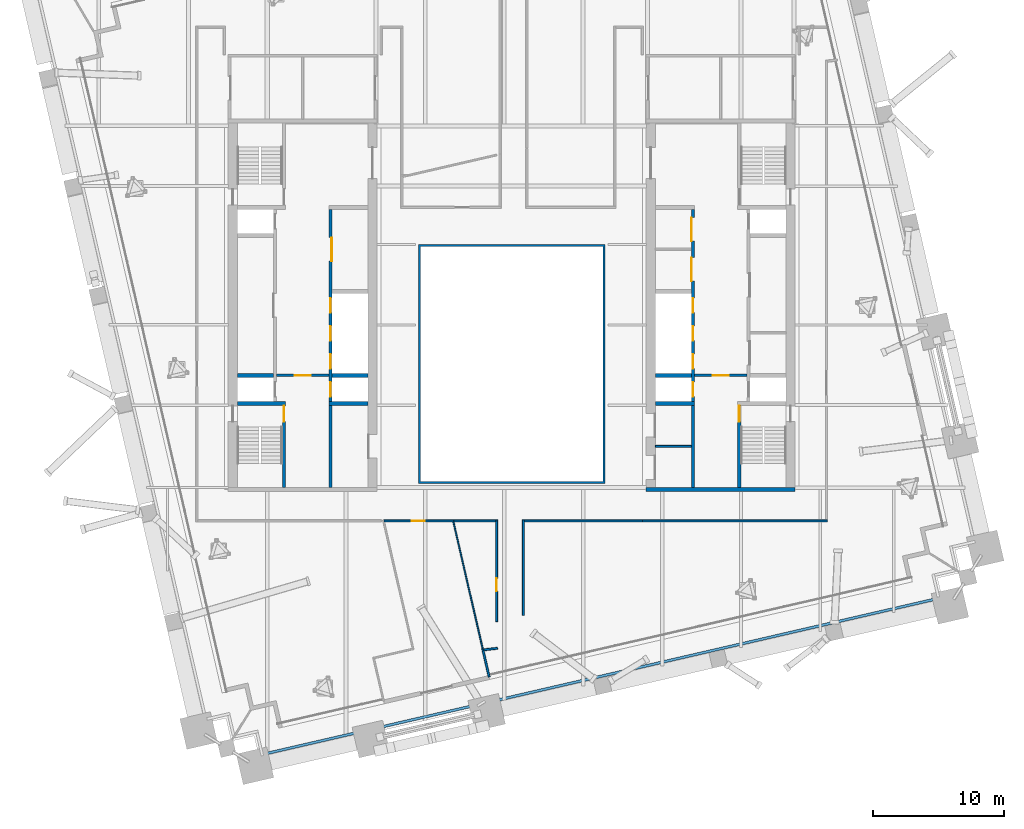
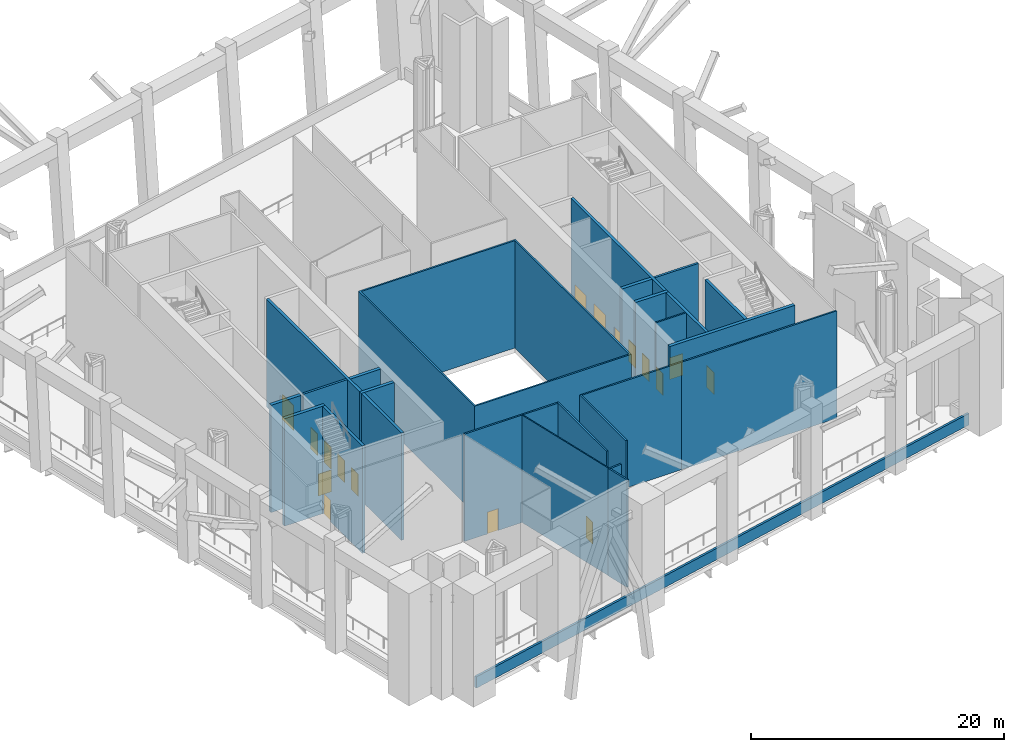
# One storey, part 16 of 25: 25 walls, 17 doors, 17 openings.
"""IFC4 building model written with IfcOpenShell, lengths in metres."""

from ifc_helpers import new_model, si_unit, direction, frame, frame_2d, origin, place, context, subcontext, project, spatial, polyline, rectangle, outline, extrude, material, layer, layer_set, type_object, element, fill, save


model = new_model("IFC4")

# Units and contexts
model_context = context("Model", 3, precision=1e-05, world=origin(), true_north=direction((0.0, 1.0)))
body_context = subcontext(model_context, "Body", "Model", "MODEL_VIEW")
ifc_project = project(units=[si_unit("LENGTHUNIT", "METRE"), si_unit("AREAUNIT", "SQUARE_METRE"), si_unit("VOLUMEUNIT", "CUBIC_METRE"), si_unit("PLANEANGLEUNIT", "RADIAN"), si_unit("MASSUNIT", "GRAM", prefix="KILO")], contexts=[model_context])

# Site, building, storey
site_placement = place(None, origin())
site = spatial("IfcSite", under=ifc_project, at=site_placement, CompositionType="ELEMENT")
building_placement = place(site_placement, origin())
building = spatial("IfcBuilding", under=site, at=building_placement, Name="Ogive Exchange Tower", CompositionType="ELEMENT")
storey_placement = place(building_placement, frame((0.0, 0.0, 226.199951171875)))
storey = spatial("IfcBuildingStorey", under=building, at=storey_placement, Name="L50", CompositionType="ELEMENT", Elevation=226.199951171875)

# Wall
ifc_material_1 = material(Name="Gypsum board partition")
ifc_layer_1 = layer(ifc_material_1, 0.14990234375)
ifc_layer_set_1 = layer_set([ifc_layer_1], Name="Core room partition 150 gypsum")
wall_type_1 = type_object("IfcWallType", Name="Core room partition 150 gypsum", PredefinedType="PARTITIONING", material=ifc_layer_set_1)
wall_1_placement = place(storey_placement, frame((11.0, 0.699951171875, 0.0), z_axis=(0.0, 0.0, 1.0), x_axis=(1.0, 0.0, 0.0)))
element("IfcWall", 1, at=wall_1_placement, inside=storey, type_object=wall_type_1, Name="E south room partition", PredefinedType="PARTITIONING", context=body_context, shape_type="SweptSolid", body=[
    extrude(rectangle(XDim=2.75, YDim=0.14990234375, at=frame_2d((1.375, 0.0))), origin(), (0.0, 0.0, 1.0), 10.35009765625),
])

# Wall, opening, door
ifc_material_2 = material(Name="Fire partition EI 60 150")
ifc_layer_2 = layer(ifc_material_2, 0.14990234375)
ifc_layer_set_2 = layer_set([ifc_layer_2], Name="Fire partition EI 60 150")
wall_type_2 = type_object("IfcWallType", Name="Fire partition EI 60 150", PredefinedType="PARTITIONING", material=ifc_layer_set_2)
wall_2_placement = place(storey_placement, frame((-4.429931640625, -5.0, 0.0), z_axis=(0.0, 0.0, 1.0), x_axis=(-1.0, 0.0, 0.0)))
wall_2 = element("IfcWall", 2, at=wall_2_placement, inside=storey, type_object=wall_type_2, Name="L50-PWL-015", PredefinedType="PARTITIONING", context=body_context, shape_type="SweptSolid", body=[
    extrude(rectangle(XDim=5.330078125, YDim=0.14990234375, at=frame_2d((2.6650390625, 0.0))), origin(), (0.0, 0.0, 1.0), 10.35009765625),
])
opening_1_placement = place(wall_2_placement, frame((2.235107421875, 0.0, 0.0)))
opening_1 = element("IfcOpeningElement", 3, at=opening_1_placement, cuts=wall_2, Name="Opening L50-I04", PredefinedType="OPENING", context=body_context, shape_type="SweptSolid", body=[
    extrude(rectangle(XDim=1.0, YDim=2.10009765625, at=frame_2d((0.5, 1.050048828125))), frame((0.0, 0.0849609375, 0.0), z_axis=(0.0, -1.0, 0.0), x_axis=(1.0, 0.0, 0.0)), (0.0, 0.0, 1.0), 0.169921875),
])
ifc_material_3 = material(Name="Fire door FD 30S 1000 x 2100")
door_type_1 = type_object("IfcDoorType", Name="Fire door FD 30S 1000 x 2100", OperationType="NOTDEFINED", PredefinedType="DOOR", material=ifc_material_3)
door_1_placement = place(opening_1_placement, origin())
door_1 = element("IfcDoor", 4, at=door_1_placement, inside=storey, type_object=door_type_1, Name="L50-IDR-004", ObjectType="DT3", OperationType="SINGLE_SWING_LEFT", OverallHeight=2.10009765625, OverallWidth=1.0, PredefinedType="DOOR", context=body_context, shape_type="SweptSolid", body=[
    extrude(rectangle(XDim=1.0, YDim=2.10009765625, at=frame_2d((0.5, 1.050048828125))), frame((0.0, 0.02490234375, 0.0), z_axis=(0.0, -1.0, 0.0), x_axis=(1.0, 0.0, 0.0)), (0.0, 0.0, 1.0), 0.050048828125),
])
fill(opening_1, door_1)

# Walls
wall_3_placement = place(storey_placement, frame((-2.217041015625, -14.806884765625, 0.0), z_axis=(0.0, 0.0, 1.0), x_axis=(0.224412122842, -0.974494329959, 0.0)))
element("IfcWall", 5, at=wall_3_placement, inside=storey, type_object=wall_type_2, Name="L50-PWL-017", PredefinedType="PARTITIONING", context=body_context, shape_type="SweptSolid", body=[
    extrude(rectangle(XDim=2.192138671875, YDim=0.14990234375, at=frame_2d((1.09619140625, 0.0))), origin(), (0.0, 0.0, 1.0), 10.35009765625),
])
wall_4_placement = place(storey_placement, frame((-2.14990234375, -14.8740234375, 0.0), z_axis=(0.0, 0.0, 1.0), x_axis=(0.993390970657, 0.114779699498, 0.0)))
element("IfcWall", 6, at=wall_4_placement, inside=storey, type_object=wall_type_2, Name="L50-PWL-018", PredefinedType="PARTITIONING", context=body_context, shape_type="SweptSolid", body=[
    extrude(rectangle(XDim=1.072021484375, YDim=0.14990234375, at=frame_2d((0.5361328125, 0.0))), origin(), (0.0, 0.0, 1.0), 10.35009765625),
])

# Wall, opening, door
wall_5_placement = place(storey_placement, frame((-1.159912109375, -12.71240234375, 0.0), z_axis=(0.0, 0.0, 1.0), x_axis=(0.0, 1.0, 0.0)))
wall_5 = element("IfcWall", 7, at=wall_5_placement, inside=storey, type_object=wall_type_2, Name="L50-PWL-019", PredefinedType="PARTITIONING", context=body_context, shape_type="SweptSolid", body=[
    extrude(rectangle(XDim=7.787353515625, YDim=0.14990234375, at=frame_2d((3.8935546875, 0.0))), origin(), (0.0, 0.0, 1.0), 10.35009765625),
])
opening_2_placement = place(wall_5_placement, frame((2.312255859375, 0.0, 0.0)))
opening_2 = element("IfcOpeningElement", 8, at=opening_2_placement, cuts=wall_5, Name="Opening L50-I03", PredefinedType="OPENING", context=body_context, shape_type="SweptSolid", body=[
    extrude(rectangle(XDim=1.0, YDim=2.10009765625, at=frame_2d((0.5, 1.050048828125))), frame((0.0, 0.0849609375, 0.0), z_axis=(0.0, -1.0, 0.0), x_axis=(1.0, 0.0, 0.0)), (0.0, 0.0, 1.0), 0.169921875),
])
door_2_placement = place(opening_2_placement, origin())
door_2 = element("IfcDoor", 9, at=door_2_placement, inside=storey, type_object=door_type_1, Name="L50-IDR-003", ObjectType="DT3", OperationType="SINGLE_SWING_RIGHT", OverallHeight=2.10009765625, OverallWidth=1.0, PredefinedType="DOOR", context=body_context, shape_type="SweptSolid", body=[
    extrude(rectangle(XDim=1.0, YDim=2.10009765625, at=frame_2d((0.5, 1.050048828125))), frame((0.0, 0.02490234375, 0.0), z_axis=(0.0, -1.0, 0.0), x_axis=(1.0, 0.0, 0.0)), (0.0, 0.0, 1.0), 0.050048828125),
])
fill(opening_2, door_2)

# Walls
wall_6_placement = place(storey_placement, frame((-1.235107421875, -5.0, 0.0), z_axis=(0.0, 0.0, 1.0), x_axis=(-1.0, 0.0, 0.0)))
element("IfcWall", 10, at=wall_6_placement, inside=storey, type_object=wall_type_2, Name="L50-PWL-020", PredefinedType="PARTITIONING", context=body_context, shape_type="SweptSolid", body=[
    extrude(rectangle(XDim=3.19482421875, YDim=0.14990234375, at=frame_2d((1.597412109375, 0.0))), origin(), (0.0, 0.0, 1.0), 10.35009765625),
])
wall_7_placement = place(storey_placement, frame((0.889892578125, -4.925048828125, 0.0), z_axis=(0.0, 0.0, 1.0), x_axis=(0.0, -1.0, 0.0)))
element("IfcWall", 11, at=wall_7_placement, inside=storey, type_object=wall_type_2, Name="L50-PWL-024", PredefinedType="PARTITIONING", context=body_context, shape_type="SweptSolid", body=[
    extrude(rectangle(XDim=7.31396484375, YDim=0.14990234375, at=frame_2d((3.656982421875, 0.0))), origin(), (0.0, 0.0, 1.0), 10.35009765625),
])
wall_8_placement = place(storey_placement, frame((10.0, -5.0, 0.0), z_axis=(0.0, 0.0, 1.0), x_axis=(-1.0, 0.0, 0.0)))
element("IfcWall", 12, at=wall_8_placement, inside=storey, type_object=wall_type_2, Name="L50-PWL-030", PredefinedType="PARTITIONING", context=body_context, shape_type="SweptSolid", body=[
    extrude(rectangle(XDim=9.034912109375, YDim=0.14990234375, at=frame_2d((4.517578125, 0.0))), origin(), (0.0, 0.0, 1.0), 10.35009765625),
])
wall_9_placement = place(storey_placement, frame((24.175048828125, -5.0, 0.0), z_axis=(0.0, 0.0, 1.0), x_axis=(-1.0, 0.0, 0.0)))
element("IfcWall", 13, at=wall_9_placement, inside=storey, type_object=wall_type_2, Name="L50-PWL-034", PredefinedType="PARTITIONING", context=body_context, shape_type="SweptSolid", body=[
    extrude(rectangle(XDim=14.175048828125, YDim=0.14990234375, at=frame_2d((7.08740234375, 0.0))), origin(), (0.0, 0.0, 1.0), 10.35009765625),
])
ifc_material_4 = material(Name="Fire-resisting glass in steel frame", Category="steel")
ifc_layer_3 = layer(ifc_material_4, 0.14990234375)
ifc_layer_set_3 = layer_set([ifc_layer_3], Name="Fire-rated glazed wall 150")
wall_type_3 = type_object("IfcWallType", Name="Fire-rated glazed wall 150", PredefinedType="STANDARD", material=ifc_layer_set_3)
wall_10_placement = place(storey_placement, origin())
element("IfcWall", 14, at=wall_10_placement, inside=storey, type_object=wall_type_3, Name="Nave enclosure wall", PredefinedType="STANDARD", context=body_context, shape_type="SweptSolid", body=[
    extrude(outline(polyline([(-7.14990234375, -2.14990234375), (7.14990234375, -2.14990234375), (7.14990234375, 16.14990234375), (-7.14990234375, 16.14990234375), (-7.14990234375, -2.14990234375)]), holes=[polyline([(-7.0, -2.0), (-7.0, 16.0), (7.0, 16.0), (7.0, -2.0), (-7.0, -2.0)])]), origin(), (0.0, 0.0, 1.0), 10.35009765625),
])
ifc_material_5 = material(Name="Partition 100 gypsum")
ifc_layer_4 = layer(ifc_material_5, 0.10009765625)
ifc_layer_set_4 = layer_set([ifc_layer_4], Name="Partition 100 gypsum")
wall_type_4 = type_object("IfcWallType", Name="Partition 100 gypsum", PredefinedType="PARTITIONING", material=ifc_layer_set_4)
wall_11_placement = place(storey_placement, frame((-4.462890625, -5.072998046875, 0.0), z_axis=(0.0, 0.0, 1.0), x_axis=(0.224841657726, -0.974395314516, 0.0)))
element("IfcWall", 15, at=wall_11_placement, inside=storey, type_object=wall_type_4, Name="L50-PWL-016", PredefinedType="PARTITIONING", context=body_context, shape_type="SweptSolid", body=[
    extrude(rectangle(XDim=9.98974609375, YDim=0.10009765625, at=frame_2d((4.994873046875, 0.0))), origin(), (0.0, 0.0, 1.0), 10.35009765625),
])
ifc_material_6 = material(Name="Precast concrete C40/50", Category="concrete")
ifc_layer_5 = layer(ifc_material_6, 0.199951171875)
ifc_layer_set_5 = layer_set([ifc_layer_5], Name="Plant deck parapet 200")
wall_type_5 = type_object("IfcWallType", Name="Plant deck parapet 200", PredefinedType="STANDARD", material=ifc_layer_set_5)
wall_12_placement = place(storey_placement, frame((-19.01220703125, -22.86328125, -0.050048828125), z_axis=(0.0, 0.0, 1.0), x_axis=(0.974369518351, 0.224953421196, 0.0)))
element("IfcWall", 16, at=wall_12_placement, inside=storey, type_object=wall_type_5, Name="Plant deck parapet 1", PredefinedType="STANDARD", context=body_context, shape_type="SweptSolid", body=[
    extrude(rectangle(XDim=53.159912109375, YDim=0.199951171875, at=frame_2d((26.580078125, 0.0))), origin(), (0.0, 0.0, 1.0), 1.10009765625),
])

# Wall, opening, door
ifc_material_7 = material(Name="Concrete C70/85", Category="concrete")
ifc_layer_6 = layer(ifc_material_7, 0.199951171875)
ifc_layer_set_6 = layer_set([ifc_layer_6], Name="RC core wall 200 C70/85")
wall_type_6 = type_object("IfcWallType", Name="RC core wall 200 C70/85", PredefinedType="SHEAR", material=ifc_layer_set_6)
wall_13_placement = place(storey_placement, frame((-18.0, 6.142822265625, 0.0), z_axis=(0.0, 0.0, 1.0), x_axis=(1.0, 0.0, 0.0)))
wall_13 = element("IfcWall", 17, at=wall_13_placement, inside=storey, type_object=wall_type_6, Name="W firefighting lobby wall", PredefinedType="SHEAR", context=body_context, shape_type="SweptSolid", body=[
    extrude(rectangle(XDim=4.0, YDim=0.199951171875, at=frame_2d((2.0, 0.0))), origin(), (0.0, 0.0, 1.0), 10.35009765625),
])
opening_3_placement = place(wall_13_placement, frame((1.39990234375, 0.0, 0.0)))
opening_3 = element("IfcOpeningElement", 18, at=opening_3_placement, cuts=wall_13, Name="Opening L50-C09", PredefinedType="OPENING", context=body_context, shape_type="SweptSolid", body=[
    extrude(rectangle(XDim=1.199951171875, YDim=2.10009765625, at=frame_2d((0.60009765625, 1.050048828125))), frame((0.0, 0.10986328125, 0.0), z_axis=(0.0, -1.0, 0.0), x_axis=(1.0, 0.0, 0.0)), (0.0, 0.0, 1.0), 0.219970703125),
])
ifc_material_8 = material(Name="Steel fire door", Category="steel")
door_type_2 = type_object("IfcDoorType", Name="Firefighting lobby door FD60 1200 x 2100", OperationType="NOTDEFINED", PredefinedType="DOOR", material=ifc_material_8)
door_3_placement = place(opening_3_placement, frame((1.199951171875, 0.0, 0.0), z_axis=(0.0, 0.0, 1.0), x_axis=(-1.0, 0.0, 0.0)))
door_3 = element("IfcDoor", 19, at=door_3_placement, inside=storey, type_object=door_type_2, Name="Firefighting lobby door", ObjectType="CD3", OperationType="SINGLE_SWING_LEFT", OverallHeight=2.10009765625, OverallWidth=1.199951171875, PredefinedType="DOOR", context=body_context, shape_type="SweptSolid", body=[
    extrude(rectangle(XDim=1.199951171875, YDim=2.10009765625, at=frame_2d((0.60009765625, 1.050048828125))), frame((0.0, 0.02490234375, 0.0), z_axis=(0.0, -1.0, 0.0), x_axis=(1.0, 0.0, 0.0)), (0.0, 0.0, 1.0), 0.050048828125),
])
fill(opening_3, door_3)

wall_14_placement = place(storey_placement, frame((14.0, 6.142822265625, 0.0), z_axis=(0.0, 0.0, 1.0), x_axis=(1.0, 0.0, 0.0)))
wall_14 = element("IfcWall", 20, at=wall_14_placement, inside=storey, type_object=wall_type_6, Name="E firefighting lobby wall", PredefinedType="SHEAR", context=body_context, shape_type="SweptSolid", body=[
    extrude(rectangle(XDim=4.0, YDim=0.199951171875, at=frame_2d((2.0, 0.0))), origin(), (0.0, 0.0, 1.0), 10.35009765625),
])
opening_4_placement = place(wall_14_placement, frame((1.39990234375, 0.0, 0.0)))
opening_4 = element("IfcOpeningElement", 21, at=opening_4_placement, cuts=wall_14, Name="Opening L50-C28", PredefinedType="OPENING", context=body_context, shape_type="SweptSolid", body=[
    extrude(rectangle(XDim=1.199951171875, YDim=2.10009765625, at=frame_2d((0.60009765625, 1.050048828125))), frame((0.0, 0.10986328125, 0.0), z_axis=(0.0, -1.0, 0.0), x_axis=(1.0, 0.0, 0.0)), (0.0, 0.0, 1.0), 0.219970703125),
])
door_4_placement = place(opening_4_placement, frame((1.199951171875, 0.0, 0.0), z_axis=(0.0, 0.0, 1.0), x_axis=(-1.0, 0.0, 0.0)))
door_4 = element("IfcDoor", 22, at=door_4_placement, inside=storey, type_object=door_type_2, Name="Firefighting lobby door", ObjectType="CD3", OperationType="SINGLE_SWING_LEFT", OverallHeight=2.10009765625, OverallWidth=1.199951171875, PredefinedType="DOOR", context=body_context, shape_type="SweptSolid", body=[
    extrude(rectangle(XDim=1.199951171875, YDim=2.10009765625, at=frame_2d((0.60009765625, 1.050048828125))), frame((0.0, 0.02490234375, 0.0), z_axis=(0.0, -1.0, 0.0), x_axis=(1.0, 0.0, 0.0)), (0.0, 0.0, 1.0), 0.050048828125),
])
fill(opening_4, door_4)

ifc_layer_7 = layer(ifc_material_7, 0.25)
ifc_layer_set_7 = layer_set([ifc_layer_7], Name="RC core wall 250 C70/85")
wall_type_7 = type_object("IfcWallType", Name="RC core wall 250 C70/85", PredefinedType="SHEAR", material=ifc_layer_set_7)
wall_15_placement = place(storey_placement, frame((-17.425048828125, -2.449951171875, 0.0), z_axis=(0.0, 0.0, 1.0), x_axis=(0.0, 1.0, 0.0)))
wall_15 = element("IfcWall", 23, at=wall_15_placement, inside=storey, type_object=wall_type_7, Name="W stair S front wall", PredefinedType="SHEAR", context=body_context, shape_type="SweptSolid", body=[
    extrude(rectangle(XDim=6.300048828125, YDim=0.25, at=frame_2d((3.14990234375, 0.0))), origin(), (0.0, 0.0, 1.0), 10.35009765625),
])
opening_5_placement = place(wall_15_placement, frame((5.050048828125, 0.0, 0.0)))
opening_5 = element("IfcOpeningElement", 24, at=opening_5_placement, cuts=wall_15, Name="Opening L50-C11", PredefinedType="OPENING", context=body_context, shape_type="SweptSolid", body=[
    extrude(rectangle(XDim=1.199951171875, YDim=2.10009765625, at=frame_2d((0.60009765625, 1.050048828125))), frame((0.0, 0.135009765625, 0.0), z_axis=(0.0, -1.0, 0.0), x_axis=(1.0, 0.0, 0.0)), (0.0, 0.0, 1.0), 0.27001953125),
])
door_type_3 = type_object("IfcDoorType", Name="Stair door FD90 1200 x 2100", OperationType="NOTDEFINED", PredefinedType="DOOR", material=ifc_material_8)
door_5_placement = place(opening_5_placement, origin())
door_5 = element("IfcDoor", 25, at=door_5_placement, inside=storey, type_object=door_type_3, Name="Stair door", ObjectType="CD5", OperationType="SINGLE_SWING_LEFT", OverallHeight=2.10009765625, OverallWidth=1.199951171875, PredefinedType="DOOR", context=body_context, shape_type="SweptSolid", body=[
    extrude(rectangle(XDim=1.199951171875, YDim=2.10009765625, at=frame_2d((0.60009765625, 1.050048828125))), frame((0.0, 0.02490234375, 0.0), z_axis=(0.0, -1.0, 0.0), x_axis=(1.0, 0.0, 0.0)), (0.0, 0.0, 1.0), 0.050048828125),
])
fill(opening_5, door_5)

# Wall, openings, doors
wall_16_placement = place(storey_placement, frame((-13.875, -2.449951171875, 0.0), z_axis=(0.0, 0.0, 1.0), x_axis=(0.0, 1.0, 0.0)))
wall_16 = element("IfcWall", 26, at=wall_16_placement, inside=storey, type_object=wall_type_7, Name="W row B front wall", PredefinedType="SHEAR", context=body_context, shape_type="SweptSolid", body=[
    extrude(rectangle(XDim=21.300048828125, YDim=0.25, at=frame_2d((10.64990234375, 0.0))), origin(), (0.0, 0.0, 1.0), 10.35009765625),
])
opening_6_placement = place(wall_16_placement, frame((17.335693359375, 0.0, 0.0)))
opening_6 = element("IfcOpeningElement", 27, at=opening_6_placement, cuts=wall_16, Name="Opening L50-C04", PredefinedType="OPENING", context=body_context, shape_type="SweptSolid", body=[
    extrude(rectangle(XDim=1.800048828125, YDim=2.39990234375, at=frame_2d((0.89990234375, 1.199951171875))), frame((0.0, 0.135009765625, 0.0), z_axis=(0.0, -1.0, 0.0), x_axis=(1.0, 0.0, 0.0)), (0.0, 0.0, 1.0), 0.27001953125),
])
opening_7_placement = place(wall_16_placement, frame((6.971435546875, 0.0, 0.0)))
opening_7 = element("IfcOpeningElement", 28, at=opening_7_placement, cuts=wall_16, Name="Opening L50-C05", PredefinedType="OPENING", context=body_context, shape_type="SweptSolid", body=[
    extrude(rectangle(XDim=1.10009765625, YDim=2.10009765625, at=frame_2d((0.550048828125, 1.050048828125))), frame((0.0, 0.135009765625, 0.0), z_axis=(0.0, -1.0, 0.0), x_axis=(1.0, 0.0, 0.0)), (0.0, 0.0, 1.0), 0.27001953125),
])
opening_8_placement = place(wall_16_placement, frame((9.1142578125, 0.0, 0.0)))
opening_8 = element("IfcOpeningElement", 29, at=opening_8_placement, cuts=wall_16, Name="Opening L50-C06", PredefinedType="OPENING", context=body_context, shape_type="SweptSolid", body=[
    extrude(rectangle(XDim=1.10009765625, YDim=2.10009765625, at=frame_2d((0.550048828125, 1.050048828125))), frame((0.0, 0.135009765625, 0.0), z_axis=(0.0, -1.0, 0.0), x_axis=(1.0, 0.0, 0.0)), (0.0, 0.0, 1.0), 0.27001953125),
])
opening_9_placement = place(wall_16_placement, frame((11.257080078125, 0.0, 0.0)))
opening_9 = element("IfcOpeningElement", 30, at=opening_9_placement, cuts=wall_16, Name="Opening L50-C07", PredefinedType="OPENING", context=body_context, shape_type="SweptSolid", body=[
    extrude(rectangle(XDim=1.10009765625, YDim=2.10009765625, at=frame_2d((0.550048828125, 1.050048828125))), frame((0.0, 0.135009765625, 0.0), z_axis=(0.0, -1.0, 0.0), x_axis=(1.0, 0.0, 0.0)), (0.0, 0.0, 1.0), 0.27001953125),
])
opening_10_placement = place(wall_16_placement, frame((13.39990234375, 0.0, 0.0)))
opening_10 = element("IfcOpeningElement", 31, at=opening_10_placement, cuts=wall_16, Name="Opening L50-C08", PredefinedType="OPENING", context=body_context, shape_type="SweptSolid", body=[
    extrude(rectangle(XDim=1.10009765625, YDim=2.10009765625, at=frame_2d((0.550048828125, 1.050048828125))), frame((0.0, 0.135009765625, 0.0), z_axis=(0.0, -1.0, 0.0), x_axis=(1.0, 0.0, 0.0)), (0.0, 0.0, 1.0), 0.27001953125),
])
ifc_material_9 = material(Name="Stainless steel", Category="steel")
door_type_4 = type_object("IfcDoorType", Name="Lift landing door FD90 1100 x 2100", OperationType="SLIDING_TO_LEFT", PredefinedType="DOOR", material=ifc_material_9)
door_6_placement = place(opening_7_placement, origin())
door_6 = element("IfcDoor", 32, at=door_6_placement, inside=storey, type_object=door_type_4, Name="Lift landing door SV1", ObjectType="LD", OperationType="SLIDING_TO_LEFT", OverallHeight=2.10009765625, OverallWidth=1.10009765625, PredefinedType="DOOR", context=body_context, shape_type="SweptSolid", body=[
    extrude(rectangle(XDim=1.10009765625, YDim=2.10009765625, at=frame_2d((0.550048828125, 1.050048828125))), frame((0.0, 0.02490234375, 0.0), z_axis=(0.0, -1.0, 0.0), x_axis=(1.0, 0.0, 0.0)), (0.0, 0.0, 1.0), 0.050048828125),
])
fill(opening_7, door_6)
door_7_placement = place(opening_8_placement, origin())
door_7 = element("IfcDoor", 33, at=door_7_placement, inside=storey, type_object=door_type_4, Name="Lift landing door W-M1", ObjectType="LD", OperationType="SLIDING_TO_LEFT", OverallHeight=2.10009765625, OverallWidth=1.10009765625, PredefinedType="DOOR", context=body_context, shape_type="SweptSolid", body=[
    extrude(rectangle(XDim=1.10009765625, YDim=2.10009765625, at=frame_2d((0.550048828125, 1.050048828125))), frame((0.0, 0.02490234375, 0.0), z_axis=(0.0, -1.0, 0.0), x_axis=(1.0, 0.0, 0.0)), (0.0, 0.0, 1.0), 0.050048828125),
])
fill(opening_8, door_7)
door_8_placement = place(opening_9_placement, origin())
door_8 = element("IfcDoor", 34, at=door_8_placement, inside=storey, type_object=door_type_4, Name="Lift landing door W-M2", ObjectType="LD", OperationType="SLIDING_TO_LEFT", OverallHeight=2.10009765625, OverallWidth=1.10009765625, PredefinedType="DOOR", context=body_context, shape_type="SweptSolid", body=[
    extrude(rectangle(XDim=1.10009765625, YDim=2.10009765625, at=frame_2d((0.550048828125, 1.050048828125))), frame((0.0, 0.02490234375, 0.0), z_axis=(0.0, -1.0, 0.0), x_axis=(1.0, 0.0, 0.0)), (0.0, 0.0, 1.0), 0.050048828125),
])
fill(opening_9, door_8)
door_9_placement = place(opening_10_placement, origin())
door_9 = element("IfcDoor", 35, at=door_9_placement, inside=storey, type_object=door_type_4, Name="Lift landing door W-M3", ObjectType="LD", OperationType="SLIDING_TO_LEFT", OverallHeight=2.10009765625, OverallWidth=1.10009765625, PredefinedType="DOOR", context=body_context, shape_type="SweptSolid", body=[
    extrude(rectangle(XDim=1.10009765625, YDim=2.10009765625, at=frame_2d((0.550048828125, 1.050048828125))), frame((0.0, 0.02490234375, 0.0), z_axis=(0.0, -1.0, 0.0), x_axis=(1.0, 0.0, 0.0)), (0.0, 0.0, 1.0), 0.050048828125),
])
fill(opening_10, door_9)
door_type_5 = type_object("IfcDoorType", Name="Plant room door FD60 1800 x 2400", OperationType="DOUBLE_DOOR_SINGLE_SWING", PredefinedType="DOOR", material=ifc_material_8)
door_10_placement = place(opening_6_placement, frame((1.800048828125, -0.2001953125, 0.0), z_axis=(0.0, 0.0, 1.0), x_axis=(-1.0, 0.0, 0.0)))
door_10 = element("IfcDoor", 36, at=door_10_placement, inside=storey, type_object=door_type_5, Name="Plant room door", ObjectType="CD1", OperationType="DOUBLE_DOOR_SINGLE_SWING", OverallHeight=2.39990234375, OverallWidth=1.800048828125, PredefinedType="DOOR", context=body_context, shape_type="SweptSolid", body=[
    extrude(rectangle(XDim=1.800048828125, YDim=2.39990234375, at=frame_2d((0.89990234375, 1.199951171875))), frame((0.0, -0.0751953125, 0.0), z_axis=(0.0, -1.0, 0.0), x_axis=(1.0, 0.0, 0.0)), (0.0, 0.0, 1.0), 0.050048828125),
])
fill(opening_6, door_10)

# Wall, opening, door
wall_17_placement = place(storey_placement, frame((17.425048828125, -2.449951171875, 0.0), z_axis=(0.0, 0.0, 1.0), x_axis=(0.0, 1.0, 0.0)))
wall_17 = element("IfcWall", 37, at=wall_17_placement, inside=storey, type_object=wall_type_7, Name="E stair S front wall", PredefinedType="SHEAR", context=body_context, shape_type="SweptSolid", body=[
    extrude(rectangle(XDim=6.300048828125, YDim=0.25, at=frame_2d((3.14990234375, 0.0))), origin(), (0.0, 0.0, 1.0), 10.35009765625),
])
opening_11_placement = place(wall_17_placement, frame((5.050048828125, 0.0, 0.0)))
opening_11 = element("IfcOpeningElement", 38, at=opening_11_placement, cuts=wall_17, Name="Opening L50-C30", PredefinedType="OPENING", context=body_context, shape_type="SweptSolid", body=[
    extrude(rectangle(XDim=1.199951171875, YDim=2.10009765625, at=frame_2d((0.60009765625, 1.050048828125))), frame((0.0, 0.135009765625, 0.0), z_axis=(0.0, -1.0, 0.0), x_axis=(1.0, 0.0, 0.0)), (0.0, 0.0, 1.0), 0.27001953125),
])
door_11_placement = place(opening_11_placement, frame((1.199951171875, 0.0, 0.0), z_axis=(0.0, 0.0, 1.0), x_axis=(-1.0, 0.0, 0.0)))
door_11 = element("IfcDoor", 39, at=door_11_placement, inside=storey, type_object=door_type_3, Name="Stair door", ObjectType="CD5", OperationType="SINGLE_SWING_RIGHT", OverallHeight=2.10009765625, OverallWidth=1.199951171875, PredefinedType="DOOR", context=body_context, shape_type="SweptSolid", body=[
    extrude(rectangle(XDim=1.199951171875, YDim=2.10009765625, at=frame_2d((0.60009765625, 1.050048828125))), frame((0.0, 0.02490234375, 0.0), z_axis=(0.0, -1.0, 0.0), x_axis=(1.0, 0.0, 0.0)), (0.0, 0.0, 1.0), 0.050048828125),
])
fill(opening_11, door_11)

# Wall, openings, doors
wall_18_placement = place(storey_placement, frame((13.875, -2.449951171875, 0.0), z_axis=(0.0, 0.0, 1.0), x_axis=(0.0, 1.0, 0.0)))
wall_18 = element("IfcWall", 40, at=wall_18_placement, inside=storey, type_object=wall_type_7, Name="E row B front wall", PredefinedType="SHEAR", context=body_context, shape_type="SweptSolid", body=[
    extrude(rectangle(XDim=21.300048828125, YDim=0.25, at=frame_2d((10.64990234375, 0.0))), origin(), (0.0, 0.0, 1.0), 10.35009765625),
])
opening_12_placement = place(wall_18_placement, frame((15.810791015625, 0.0, 0.0)))
opening_12 = element("IfcOpeningElement", 41, at=opening_12_placement, cuts=wall_18, Name="Opening L50-C22", PredefinedType="OPENING", context=body_context, shape_type="SweptSolid", body=[
    extrude(rectangle(XDim=1.800048828125, YDim=2.39990234375, at=frame_2d((0.89990234375, 1.199951171875))), frame((0.0, 0.135009765625, 0.0), z_axis=(0.0, -1.0, 0.0), x_axis=(1.0, 0.0, 0.0)), (0.0, 0.0, 1.0), 0.27001953125),
])
opening_13_placement = place(wall_18_placement, frame((18.875, 0.0, 0.0)))
opening_13 = element("IfcOpeningElement", 42, at=opening_13_placement, cuts=wall_18, Name="Opening L50-C23", PredefinedType="OPENING", context=body_context, shape_type="SweptSolid", body=[
    extrude(rectangle(XDim=1.800048828125, YDim=2.39990234375, at=frame_2d((0.89990234375, 1.199951171875))), frame((0.0, 0.135009765625, 0.0), z_axis=(0.0, -1.0, 0.0), x_axis=(1.0, 0.0, 0.0)), (0.0, 0.0, 1.0), 0.27001953125),
])
opening_14_placement = place(wall_18_placement, frame((6.971435546875, 0.0, 0.0)))
opening_14 = element("IfcOpeningElement", 43, at=opening_14_placement, cuts=wall_18, Name="Opening L50-C24", PredefinedType="OPENING", context=body_context, shape_type="SweptSolid", body=[
    extrude(rectangle(XDim=1.10009765625, YDim=2.10009765625, at=frame_2d((0.550048828125, 1.050048828125))), frame((0.0, 0.135009765625, 0.0), z_axis=(0.0, -1.0, 0.0), x_axis=(1.0, 0.0, 0.0)), (0.0, 0.0, 1.0), 0.27001953125),
])
opening_15_placement = place(wall_18_placement, frame((9.1142578125, 0.0, 0.0)))
opening_15 = element("IfcOpeningElement", 44, at=opening_15_placement, cuts=wall_18, Name="Opening L50-C25", PredefinedType="OPENING", context=body_context, shape_type="SweptSolid", body=[
    extrude(rectangle(XDim=1.10009765625, YDim=2.10009765625, at=frame_2d((0.550048828125, 1.050048828125))), frame((0.0, 0.135009765625, 0.0), z_axis=(0.0, -1.0, 0.0), x_axis=(1.0, 0.0, 0.0)), (0.0, 0.0, 1.0), 0.27001953125),
])
opening_16_placement = place(wall_18_placement, frame((11.257080078125, 0.0, 0.0)))
opening_16 = element("IfcOpeningElement", 45, at=opening_16_placement, cuts=wall_18, Name="Opening L50-C26", PredefinedType="OPENING", context=body_context, shape_type="SweptSolid", body=[
    extrude(rectangle(XDim=1.10009765625, YDim=2.10009765625, at=frame_2d((0.550048828125, 1.050048828125))), frame((0.0, 0.135009765625, 0.0), z_axis=(0.0, -1.0, 0.0), x_axis=(1.0, 0.0, 0.0)), (0.0, 0.0, 1.0), 0.27001953125),
])
opening_17_placement = place(wall_18_placement, frame((13.39990234375, 0.0, 0.0)))
opening_17 = element("IfcOpeningElement", 46, at=opening_17_placement, cuts=wall_18, Name="Opening L50-C27", PredefinedType="OPENING", context=body_context, shape_type="SweptSolid", body=[
    extrude(rectangle(XDim=1.10009765625, YDim=2.10009765625, at=frame_2d((0.550048828125, 1.050048828125))), frame((0.0, 0.135009765625, 0.0), z_axis=(0.0, -1.0, 0.0), x_axis=(1.0, 0.0, 0.0)), (0.0, 0.0, 1.0), 0.27001953125),
])
door_12_placement = place(opening_14_placement, origin())
door_12 = element("IfcDoor", 47, at=door_12_placement, inside=storey, type_object=door_type_4, Name="Lift landing door SV2", ObjectType="LD", OperationType="SLIDING_TO_LEFT", OverallHeight=2.10009765625, OverallWidth=1.10009765625, PredefinedType="DOOR", context=body_context, shape_type="SweptSolid", body=[
    extrude(rectangle(XDim=1.10009765625, YDim=2.10009765625, at=frame_2d((0.550048828125, 1.050048828125))), frame((0.0, 0.02490234375, 0.0), z_axis=(0.0, -1.0, 0.0), x_axis=(1.0, 0.0, 0.0)), (0.0, 0.0, 1.0), 0.050048828125),
])
fill(opening_14, door_12)
door_13_placement = place(opening_15_placement, origin())
door_13 = element("IfcDoor", 48, at=door_13_placement, inside=storey, type_object=door_type_4, Name="Lift landing door E-M1", ObjectType="LD", OperationType="SLIDING_TO_LEFT", OverallHeight=2.10009765625, OverallWidth=1.10009765625, PredefinedType="DOOR", context=body_context, shape_type="SweptSolid", body=[
    extrude(rectangle(XDim=1.10009765625, YDim=2.10009765625, at=frame_2d((0.550048828125, 1.050048828125))), frame((0.0, 0.02490234375, 0.0), z_axis=(0.0, -1.0, 0.0), x_axis=(1.0, 0.0, 0.0)), (0.0, 0.0, 1.0), 0.050048828125),
])
fill(opening_15, door_13)
door_14_placement = place(opening_16_placement, origin())
door_14 = element("IfcDoor", 49, at=door_14_placement, inside=storey, type_object=door_type_4, Name="Lift landing door E-M2", ObjectType="LD", OperationType="SLIDING_TO_LEFT", OverallHeight=2.10009765625, OverallWidth=1.10009765625, PredefinedType="DOOR", context=body_context, shape_type="SweptSolid", body=[
    extrude(rectangle(XDim=1.10009765625, YDim=2.10009765625, at=frame_2d((0.550048828125, 1.050048828125))), frame((0.0, 0.02490234375, 0.0), z_axis=(0.0, -1.0, 0.0), x_axis=(1.0, 0.0, 0.0)), (0.0, 0.0, 1.0), 0.050048828125),
])
fill(opening_16, door_14)
door_15_placement = place(opening_17_placement, origin())
door_15 = element("IfcDoor", 50, at=door_15_placement, inside=storey, type_object=door_type_4, Name="Lift landing door E-M3", ObjectType="LD", OperationType="SLIDING_TO_LEFT", OverallHeight=2.10009765625, OverallWidth=1.10009765625, PredefinedType="DOOR", context=body_context, shape_type="SweptSolid", body=[
    extrude(rectangle(XDim=1.10009765625, YDim=2.10009765625, at=frame_2d((0.550048828125, 1.050048828125))), frame((0.0, 0.02490234375, 0.0), z_axis=(0.0, -1.0, 0.0), x_axis=(1.0, 0.0, 0.0)), (0.0, 0.0, 1.0), 0.050048828125),
])
fill(opening_17, door_15)
door_16_placement = place(opening_12_placement, origin())
door_16 = element("IfcDoor", 51, at=door_16_placement, inside=storey, type_object=door_type_5, Name="Plant room door", ObjectType="CD1", OperationType="DOUBLE_DOOR_SINGLE_SWING", OverallHeight=2.39990234375, OverallWidth=1.800048828125, PredefinedType="DOOR", context=body_context, shape_type="SweptSolid", body=[
    extrude(rectangle(XDim=1.800048828125, YDim=2.39990234375, at=frame_2d((0.89990234375, 1.199951171875))), frame((0.0, 0.125, 0.0), z_axis=(0.0, -1.0, 0.0), x_axis=(1.0, 0.0, 0.0)), (0.0, 0.0, 1.0), 0.050048828125),
])
fill(opening_12, door_16)
door_17_placement = place(opening_13_placement, origin())
door_17 = element("IfcDoor", 52, at=door_17_placement, inside=storey, type_object=door_type_5, Name="Plant room door", ObjectType="CD1", OperationType="DOUBLE_DOOR_SINGLE_SWING", OverallHeight=2.39990234375, OverallWidth=1.800048828125, PredefinedType="DOOR", context=body_context, shape_type="SweptSolid", body=[
    extrude(rectangle(XDim=1.800048828125, YDim=2.39990234375, at=frame_2d((0.89990234375, 1.199951171875))), frame((0.0, 0.125, 0.0), z_axis=(0.0, -1.0, 0.0), x_axis=(1.0, 0.0, 0.0)), (0.0, 0.0, 1.0), 0.050048828125),
])
fill(opening_13, door_17)

# Walls
ifc_layer_8 = layer(ifc_material_7, 0.300048828125)
ifc_layer_set_8 = layer_set([ifc_layer_8], Name="RC core wall 300 C70/85")
wall_type_8 = type_object("IfcWallType", Name="RC core wall 300 C70/85", PredefinedType="SHEAR", material=ifc_layer_set_8)
wall_19_placement = place(storey_placement, frame((-21.0, 4.0, 0.0), z_axis=(0.0, 0.0, 1.0), x_axis=(1.0, 0.0, 0.0)))
element("IfcWall", 53, at=wall_19_placement, inside=storey, type_object=wall_type_8, Name="W stair S north wall", PredefinedType="SHEAR", context=body_context, shape_type="SweptSolid", body=[
    extrude(rectangle(XDim=3.699951171875, YDim=0.300048828125, at=frame_2d((1.85009765625, 0.0))), origin(), (0.0, 0.0, 1.0), 10.35009765625),
])
wall_20_placement = place(storey_placement, frame((-21.0, 6.142822265625, 0.0), z_axis=(0.0, 0.0, 1.0), x_axis=(1.0, 0.0, 0.0)))
element("IfcWall", 54, at=wall_20_placement, inside=storey, type_object=wall_type_8, Name="W row A divider 1", PredefinedType="SHEAR", context=body_context, shape_type="SweptSolid", body=[
    extrude(rectangle(XDim=2.75, YDim=0.300048828125, at=frame_2d((1.375, 0.0))), origin(), (0.0, 0.0, 1.0), 10.35009765625),
])
wall_21_placement = place(storey_placement, frame((-14.0, 4.0, 0.0), z_axis=(0.0, 0.0, 1.0), x_axis=(1.0, 0.0, 0.0)))
element("IfcWall", 55, at=wall_21_placement, inside=storey, type_object=wall_type_8, Name="W row B divider 0", PredefinedType="SHEAR", context=body_context, shape_type="SweptSolid", body=[
    extrude(rectangle(XDim=3.0, YDim=0.300048828125, at=frame_2d((1.5, 0.0))), origin(), (0.0, 0.0, 1.0), 10.35009765625),
])
wall_22_placement = place(storey_placement, frame((-13.75, 6.142822265625, 0.0), z_axis=(0.0, 0.0, 1.0), x_axis=(1.0, 0.0, 0.0)))
element("IfcWall", 56, at=wall_22_placement, inside=storey, type_object=wall_type_8, Name="W row B divider 1", PredefinedType="SHEAR", context=body_context, shape_type="SweptSolid", body=[
    extrude(rectangle(XDim=2.75, YDim=0.300048828125, at=frame_2d((1.375, 0.0))), origin(), (0.0, 0.0, 1.0), 10.35009765625),
])
wall_23_placement = place(storey_placement, frame((10.300048828125, -2.60009765625, 0.0), z_axis=(0.0, 0.0, 1.0), x_axis=(1.0, 0.0, 0.0)))
element("IfcWall", 57, at=wall_23_placement, inside=storey, type_object=wall_type_8, Name="E south end wall", PredefinedType="SHEAR", context=body_context, shape_type="SweptSolid", body=[
    extrude(rectangle(XDim=11.39990234375, YDim=0.300048828125, at=frame_2d((5.699951171875, 0.0))), origin(), (0.0, 0.0, 1.0), 10.35009765625),
])
wall_24_placement = place(storey_placement, frame((11.0, 4.0, 0.0), z_axis=(0.0, 0.0, 1.0), x_axis=(1.0, 0.0, 0.0)))
element("IfcWall", 58, at=wall_24_placement, inside=storey, type_object=wall_type_8, Name="E row B divider 0", PredefinedType="SHEAR", context=body_context, shape_type="SweptSolid", body=[
    extrude(rectangle(XDim=3.0, YDim=0.300048828125, at=frame_2d((1.5, 0.0))), origin(), (0.0, 0.0, 1.0), 10.35009765625),
])
wall_25_placement = place(storey_placement, frame((11.0, 6.142822265625, 0.0), z_axis=(0.0, 0.0, 1.0), x_axis=(1.0, 0.0, 0.0)))
element("IfcWall", 59, at=wall_25_placement, inside=storey, type_object=wall_type_8, Name="E row B divider 1", PredefinedType="SHEAR", context=body_context, shape_type="SweptSolid", body=[
    extrude(rectangle(XDim=2.75, YDim=0.300048828125, at=frame_2d((1.375, 0.0))), origin(), (0.0, 0.0, 1.0), 10.35009765625),
])

save(model, "model.ifc")
